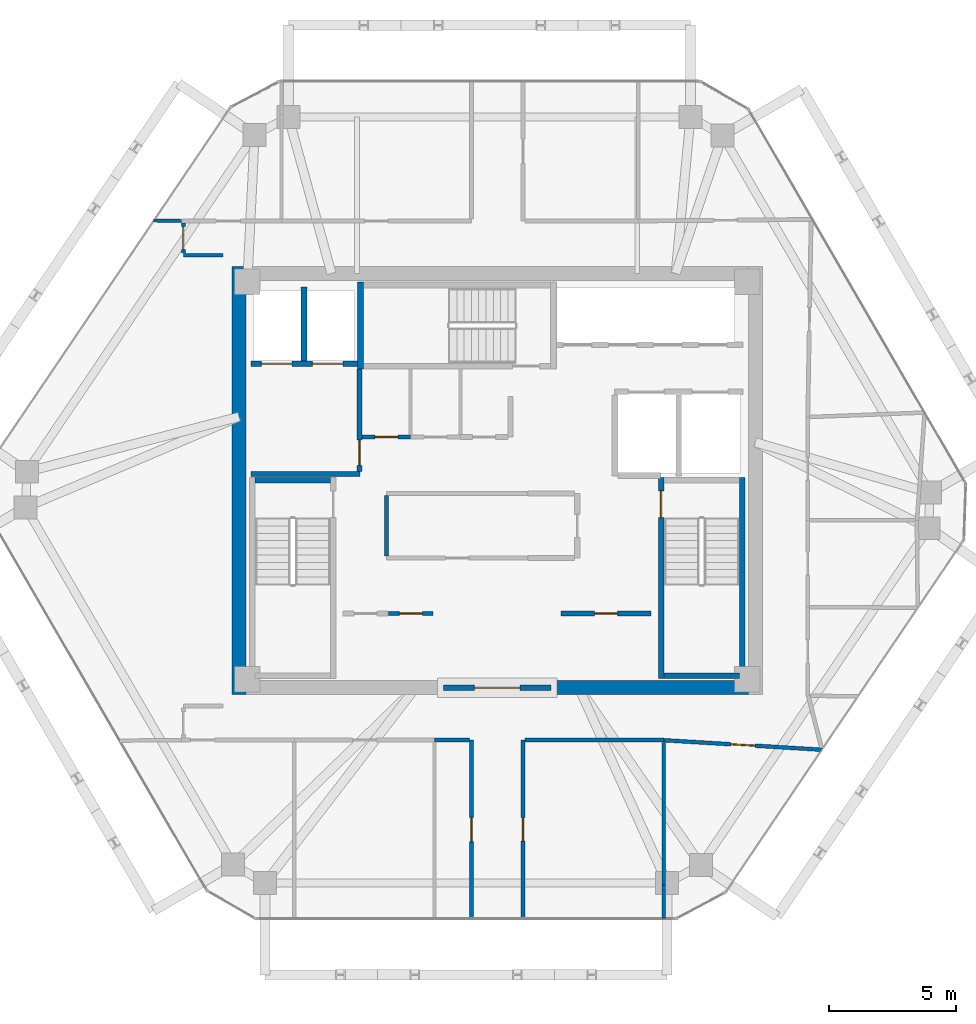
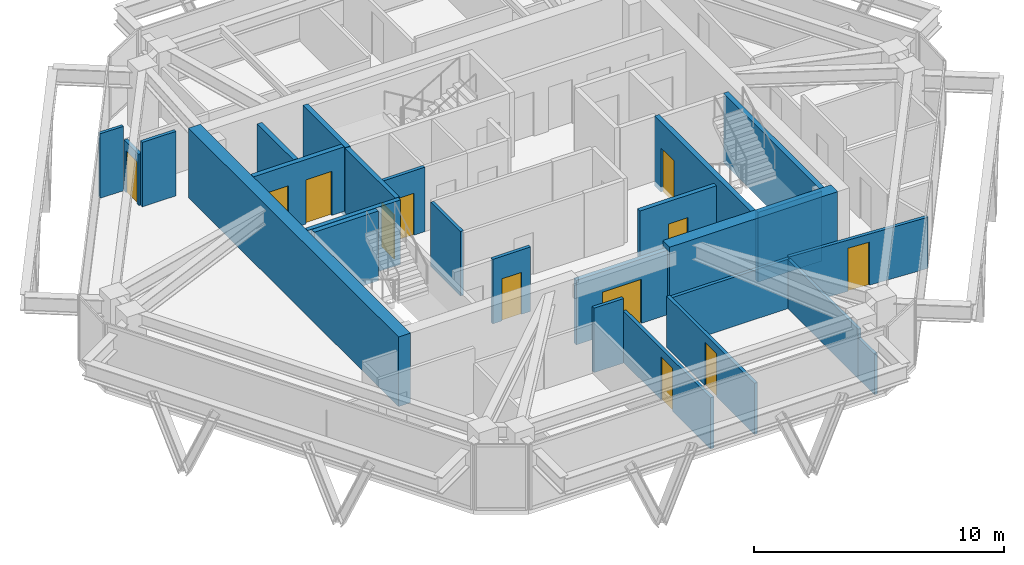
# One storey, part 8 of 11: 26 walls, 12 doors, 12 openings.
"""IFC4 building model written with IfcOpenShell, lengths in metres."""

from ifc_helpers import new_model, si_unit, direction, frame, frame_2d, origin, place, context, subcontext, project, spatial, rectangle, extrude, source, transform, mapped, material, layer, layer_set, type_object, type_shapes, element, fill, save


model = new_model("IFC4")

# Units and contexts
model_context = context("Model", 3, precision=1e-05, world=origin(), true_north=direction((0.0, 1.0)))
body_context = subcontext(model_context, "Body", "Model", "MODEL_VIEW")
ifc_project = project(units=[si_unit("LENGTHUNIT", "METRE"), si_unit("AREAUNIT", "SQUARE_METRE"), si_unit("VOLUMEUNIT", "CUBIC_METRE"), si_unit("PLANEANGLEUNIT", "RADIAN"), si_unit("MASSUNIT", "GRAM", prefix="KILO")], contexts=[model_context])

# Site, building, storey
site_placement = place(None, origin())
site = spatial("IfcSite", under=ifc_project, at=site_placement, CompositionType="ELEMENT")
building_placement = place(site_placement, origin())
building = spatial("IfcBuilding", under=site, at=building_placement, Name="Durnholm Broadcast Tower", CompositionType="ELEMENT")
storey_placement = place(building_placement, frame((0.0, 0.0, 258.10009765625)))
storey = spatial("IfcBuildingStorey", under=building, at=storey_placement, Name="L72", CompositionType="ELEMENT", Elevation=258.10009765625)

# Walls
ifc_material_1 = material(Name="Concrete C70/85", Category="concrete")
ifc_layer_1 = layer(ifc_material_1, 0.550048828125)
ifc_layer_set_1 = layer_set([ifc_layer_1], Name="Concrete C70/85")
wall_type_1 = type_object("IfcWallType", Name="WALL-CW-550", PredefinedType="SHEAR", material=ifc_layer_set_1)
wall_1_placement = place(storey_placement, frame((-10.125, -8.39990234375, 0.0), z_axis=(0.0, 0.0, 1.0), x_axis=(0.0, 1.0, 0.0)))
element("IfcWall", 1, at=wall_1_placement, inside=storey, type_object=wall_type_1, Name="L72 central core shear wall CW-WEST", PredefinedType="SHEAR", context=body_context, shape_type="SweptSolid", body=[
    extrude(rectangle(XDim=16.7998046875, YDim=0.550048828125, at=frame_2d((8.39990234375, 0.0))), origin(), (0.0, 0.0, 1.0), 3.39990234375),
])
wall_2_placement = place(storey_placement, frame((2.10009765625, -8.125, 0.0), z_axis=(0.0, 0.0, 1.0), x_axis=(1.0, 0.0, 0.0)))
element("IfcWall", 2, at=wall_2_placement, inside=storey, type_object=wall_type_1, Name="L72 central core shear wall CW-S2", PredefinedType="SHEAR", context=body_context, shape_type="SweptSolid", body=[
    extrude(rectangle(XDim=7.75, YDim=0.550048828125, at=frame_2d((3.875, 0.0))), origin(), (0.0, 0.0, 1.0), 3.39990234375),
])

# Wall, opening, door
ifc_material_2 = material(Name="Fire-Rated Gypsum Shaftwall", Category="concrete")
ifc_layer_2 = layer(ifc_material_2, 0.199951171875)
ifc_layer_set_2 = layer_set([ifc_layer_2], Name="Fire-Rated Gypsum Shaftwall")
wall_type_2 = type_object("IfcWallType", Name="WALL-LOB-200", PredefinedType="SOLIDWALL", material=ifc_layer_set_2)
wall_3_placement = place(storey_placement, frame((-2.10009765625, -8.125, 0.0), z_axis=(0.0, 0.0, 1.0), x_axis=(1.0, 0.0, 0.0)))
wall_3 = element("IfcWall", 3, at=wall_3_placement, inside=storey, type_object=wall_type_2, Name="L72 south core lobby fire screen", PredefinedType="SOLIDWALL", context=body_context, shape_type="SweptSolid", body=[
    extrude(rectangle(XDim=4.2001953125, YDim=0.199951171875, at=frame_2d((2.10009765625, 0.0))), origin(), (0.0, 0.0, 1.0), 3.14501953125),
])
opening_1_placement = place(wall_3_placement, frame((1.199951171875, 0.0, 0.0)))
opening_1 = element("IfcOpeningElement", 4, at=opening_1_placement, cuts=wall_3, Name="Opening DP-60", PredefinedType="OPENING", context=body_context, shape_type="SweptSolid", body=[
    extrude(rectangle(XDim=1.800048828125, YDim=2.14990234375, at=frame_2d((0.89990234375, 1.074951171875))), frame((0.0, 0.10986328125, 0.0), z_axis=(0.0, -1.0, 0.0), x_axis=(1.0, 0.0, 0.0)), (0.0, 0.0, 1.0), 0.219970703125),
])
ifc_material_3 = material(Name="Fire-Rated Double Corridor Door", Category="steel")
ifc_layer_3 = layer(ifc_material_3, 0.050048828125)
ifc_layer_set_3 = layer_set([ifc_layer_3], Name="Fire-Rated Double Corridor Door")
door_type_1 = type_object("IfcDoorType", Name="DOOR-PAIR-FD60", OperationType="DOUBLE_DOOR_SINGLE_SWING", PredefinedType="DOOR", material=ifc_layer_set_3)
shared_shape_1 = source(origin(), body_context, "Body", "SweptSolid", [
    extrude(rectangle(XDim=1.800048828125, YDim=2.14990234375, at=frame_2d((0.89990234375, 1.074951171875))), frame((0.0, 0.02490234375, 0.0), z_axis=(0.0, -1.0, 0.0), x_axis=(1.0, 0.0, 0.0)), (0.0, 0.0, 1.0), 0.050048828125),
])
type_shapes(door_type_1, [shared_shape_1])
door_1_placement = place(opening_1_placement, origin())
door_1 = element("IfcDoor", 5, at=door_1_placement, inside=storey, type_object=door_type_1, Name="L72 south core lobby double fire door", OperationType="DOUBLE_DOOR_SINGLE_SWING", OverallHeight=2.14990234375, OverallWidth=1.800048828125, PredefinedType="DOOR", context=body_context, shape_type="MappedRepresentation", body=[
    mapped(shared_shape_1, transform((0.0, 0.0, 0.0), x_axis=(1.0, 0.0, 0.0), y_axis=(0.0, 1.0, 0.0), z_axis=(0.0, 0.0, 1.0), scale=1.0)),
])
fill(opening_1, door_1)

# Wall
wall_4_placement = place(storey_placement, frame((-9.64990234375, 0.25, 0.0), z_axis=(0.0, 0.0, 1.0), x_axis=(1.0, 0.0, 0.0)))
element("IfcWall", 6, at=wall_4_placement, inside=storey, type_object=wall_type_2, Name="L72 Fire Service Access Elevator lobby south wall", PredefinedType="SOLIDWALL", context=body_context, shape_type="SweptSolid", body=[
    extrude(rectangle(XDim=4.27001953125, YDim=0.199951171875, at=frame_2d((2.135009765625, 0.0))), origin(), (0.0, 0.0, 1.0), 3.14501953125),
])

# Wall, opening, door
wall_5_placement = place(storey_placement, frame((-5.39990234375, 0.35400390625, 0.0), z_axis=(0.0, 0.0, 1.0), x_axis=(0.0, 1.0, 0.0)))
wall_5 = element("IfcWall", 7, at=wall_5_placement, inside=storey, type_object=wall_type_2, Name="L72 Fire Service Access Elevator lobby east fire wall", PredefinedType="SOLIDWALL", context=body_context, shape_type="SweptSolid", body=[
    extrude(rectangle(XDim=4.02587890625, YDim=0.199951171875, at=frame_2d((2.012939453125, 0.0))), origin(), (0.0, 0.0, 1.0), 3.14501953125),
])
opening_2_placement = place(wall_5_placement, frame((0.24609375, 0.0, 0.0)))
opening_2 = element("IfcOpeningElement", 8, at=opening_2_placement, cuts=wall_5, Name="Opening DL-60L", PredefinedType="OPENING", context=body_context, shape_type="SweptSolid", body=[
    extrude(rectangle(XDim=1.0, YDim=2.14990234375, at=frame_2d((0.5, 1.074951171875))), frame((0.0, 0.10986328125, 0.0), z_axis=(0.0, -1.0, 0.0), x_axis=(1.0, 0.0, 0.0)), (0.0, 0.0, 1.0), 0.219970703125),
])
ifc_material_4 = material(Name="Fire-Rated Timber/Steel Door", Category="steel")
ifc_layer_4 = layer(ifc_material_4, 0.050048828125)
ifc_layer_set_4 = layer_set([ifc_layer_4], Name="Fire-Rated Timber/Steel Door")
door_type_2 = type_object("IfcDoorType", Name="DOOR-LOB-FD60-L", OperationType="NOTDEFINED", PredefinedType="DOOR", material=ifc_layer_set_4)
shared_shape_2 = source(origin(), body_context, "Body", "SweptSolid", [
    extrude(rectangle(XDim=1.0, YDim=2.14990234375, at=frame_2d((0.5, 1.074951171875))), frame((0.0, 0.02490234375, 0.0), z_axis=(0.0, -1.0, 0.0), x_axis=(1.0, 0.0, 0.0)), (0.0, 0.0, 1.0), 0.050048828125),
])
type_shapes(door_type_2, [shared_shape_2])
door_2_placement = place(opening_2_placement, origin())
door_2 = element("IfcDoor", 9, at=door_2_placement, inside=storey, type_object=door_type_2, Name="L72 Fire Service Access Elevator lobby smoke door", OperationType="SINGLE_SWING_LEFT", OverallHeight=2.14990234375, OverallWidth=1.0, PredefinedType="DOOR", context=body_context, shape_type="MappedRepresentation", body=[
    mapped(shared_shape_2, transform((0.0, 0.0, 0.0), x_axis=(1.0, 0.0, 0.0), y_axis=(0.0, 1.0, 0.0), z_axis=(0.0, 0.0, 1.0), scale=1.0)),
])
fill(opening_2, door_2)

wall_6_placement = place(storey_placement, frame((2.510009765625, -5.2099609375, 0.0), z_axis=(0.0, 0.0, 1.0), x_axis=(1.0, 0.0, 0.0)))
wall_6 = element("IfcWall", 10, at=wall_6_placement, inside=storey, type_object=wall_type_2, Name="L72 Telemetry Control Closet corridor partition", PredefinedType="SOLIDWALL", context=body_context, shape_type="SweptSolid", body=[
    extrude(rectangle(XDim=3.530029296875, YDim=0.199951171875, at=frame_2d((1.76513671875, 0.0))), origin(), (0.0, 0.0, 1.0), 3.14501953125),
])
opening_3_placement = place(wall_6_placement, frame((1.31494140625, 0.0, 0.0)))
opening_3 = element("IfcOpeningElement", 11, at=opening_3_placement, cuts=wall_6, Name="Opening DC-60R", PredefinedType="OPENING", context=body_context, shape_type="SweptSolid", body=[
    extrude(rectangle(XDim=0.89990234375, YDim=2.050048828125, at=frame_2d((0.449951171875, 1.02490234375))), frame((0.0, 0.10986328125, 0.0), z_axis=(0.0, -1.0, 0.0), x_axis=(1.0, 0.0, 0.0)), (0.0, 0.0, 1.0), 0.219970703125),
])
ifc_material_5 = material(Name="Fire-Rated Core Service Door", Category="steel")
ifc_layer_5 = layer(ifc_material_5, 0.050048828125)
ifc_layer_set_5 = layer_set([ifc_layer_5], Name="Fire-Rated Core Service Door")
door_type_3 = type_object("IfcDoorType", Name="DOOR-CORE-FD60-R", OperationType="NOTDEFINED", PredefinedType="DOOR", material=ifc_layer_set_5)
shared_shape_3 = source(origin(), body_context, "Body", "SweptSolid", [
    extrude(rectangle(XDim=0.89990234375, YDim=2.050048828125, at=frame_2d((0.449951171875, 1.02490234375))), frame((0.0, 0.02490234375, 0.0), z_axis=(0.0, -1.0, 0.0), x_axis=(1.0, 0.0, 0.0)), (0.0, 0.0, 1.0), 0.050048828125),
])
type_shapes(door_type_3, [shared_shape_3])
door_3_placement = place(opening_3_placement, origin())
door_3 = element("IfcDoor", 12, at=door_3_placement, inside=storey, type_object=door_type_3, Name="L72 Telemetry Control Closet entrance door", OperationType="SINGLE_SWING_RIGHT", OverallHeight=2.050048828125, OverallWidth=0.89990234375, PredefinedType="DOOR", context=body_context, shape_type="MappedRepresentation", body=[
    mapped(shared_shape_3, transform((0.0, 0.0, 0.0), x_axis=(1.0, 0.0, 0.0), y_axis=(0.0, 1.0, 0.0), z_axis=(0.0, 0.0, 1.0), scale=1.0)),
])
fill(opening_3, door_3)

# Walls
ifc_material_6 = material(Name="Gypsum Metal Stud Partition", Category="concrete")
ifc_layer_6 = layer(ifc_material_6, 0.135009765625)
ifc_layer_set_6 = layer_set([ifc_layer_6], Name="Gypsum Metal Stud Partition")
wall_type_3 = type_object("IfcWallType", Name="WALL-PART-135", PredefinedType="PARTITIONING", material=ifc_layer_set_6)
wall_7_placement = place(storey_placement, frame((-12.389892578125, 10.181396484375, 0.0), z_axis=(0.0, 0.0, 1.0), x_axis=(-0.999812128272, 0.019383192748, 0.0)))
element("IfcWall", 13, at=wall_7_placement, inside=storey, type_object=wall_type_3, Name="L72 room dividing partition 12.22", PredefinedType="PARTITIONING", context=body_context, shape_type="SweptSolid", body=[
    extrude(rectangle(XDim=1.083251953125, YDim=0.135009765625, at=frame_2d((0.54150390625, 0.0))), origin(), (0.0, 0.0, 1.0), 3.14501953125),
])
wall_8_placement = place(storey_placement, frame((6.5400390625, -10.263916015625, 0.0), z_axis=(0.0, 0.0, 1.0), x_axis=(0.0, -1.0, 0.0)))
element("IfcWall", 14, at=wall_8_placement, inside=storey, type_object=wall_type_3, Name="L72 room dividing partition 19.20", PredefinedType="PARTITIONING", context=body_context, shape_type="SweptSolid", body=[
    extrude(rectangle(XDim=5.606201171875, YDim=0.135009765625, at=frame_2d((2.80322265625, 0.0))), origin(), (0.0, 0.0, 1.0), 2.401123046875),
])
wall_9_placement = place(storey_placement, frame((6.5400390625, -15.8701171875, 0.0), z_axis=(0.0, 0.0, 1.0), x_axis=(0.0, -1.0, 0.0)))
element("IfcWall", 15, at=wall_9_placement, inside=storey, type_object=wall_type_3, Name="L72 room dividing partition 19.20", PredefinedType="PARTITIONING", context=body_context, shape_type="SweptSolid", body=[
    extrude(rectangle(XDim=1.31591796875, YDim=0.135009765625, at=frame_2d((0.657958984375, 0.0))), origin(), (0.0, 0.0, 1.0), 1.97705078125),
])

# Wall, opening, door
ifc_material_7 = material(Name="Acoustic Gypsum Stud Partition", Category="concrete")
ifc_layer_7 = layer(ifc_material_7, 0.14990234375)
ifc_layer_set_7 = layer_set([ifc_layer_7], Name="Acoustic Gypsum Stud Partition")
wall_type_4 = type_object("IfcWallType", Name="WALL-PART-150", PredefinedType="PARTITIONING", material=ifc_layer_set_7)
wall_10_placement = place(storey_placement, frame((-4.260009765625, -5.2099609375, 0.0), z_axis=(0.0, 0.0, 1.0), x_axis=(1.0, 0.0, 0.0)))
wall_10 = element("IfcWall", 16, at=wall_10_placement, inside=storey, type_object=wall_type_4, Name="L72 Copy and Print Room corridor partition", PredefinedType="PARTITIONING", context=body_context, shape_type="SweptSolid", body=[
    extrude(rectangle(XDim=1.75, YDim=0.14990234375, at=frame_2d((0.875, 0.0))), origin(), (0.0, 0.0, 1.0), 3.14501953125),
])
opening_4_placement = place(wall_10_placement, frame((0.425048828125, 0.0, 0.0)))
opening_4 = element("IfcOpeningElement", 17, at=opening_4_placement, cuts=wall_10, Name="Opening DC-60L", PredefinedType="OPENING", context=body_context, shape_type="SweptSolid", body=[
    extrude(rectangle(XDim=0.89990234375, YDim=2.050048828125, at=frame_2d((0.449951171875, 1.02490234375))), frame((0.0, 0.0849609375, 0.0), z_axis=(0.0, -1.0, 0.0), x_axis=(1.0, 0.0, 0.0)), (0.0, 0.0, 1.0), 0.169921875),
])
ifc_layer_8 = layer(ifc_material_5, 0.050048828125)
ifc_layer_set_8 = layer_set([ifc_layer_8], Name="Fire-Rated Core Service Door")
door_type_4 = type_object("IfcDoorType", Name="DOOR-CORE-FD60-L", OperationType="NOTDEFINED", PredefinedType="DOOR", material=ifc_layer_set_8)
shared_shape_4 = source(origin(), body_context, "Body", "SweptSolid", [
    extrude(rectangle(XDim=0.89990234375, YDim=2.050048828125, at=frame_2d((0.449951171875, 1.02490234375))), frame((0.0, 0.02490234375, 0.0), z_axis=(0.0, -1.0, 0.0), x_axis=(1.0, 0.0, 0.0)), (0.0, 0.0, 1.0), 0.050048828125),
])
type_shapes(door_type_4, [shared_shape_4])
door_4_placement = place(opening_4_placement, origin())
door_4 = element("IfcDoor", 18, at=door_4_placement, inside=storey, type_object=door_type_4, Name="L72 Copy and Print Room entrance door", OperationType="SINGLE_SWING_LEFT", OverallHeight=2.050048828125, OverallWidth=0.89990234375, PredefinedType="DOOR", context=body_context, shape_type="MappedRepresentation", body=[
    mapped(shared_shape_4, transform((0.0, 0.0, 0.0), x_axis=(1.0, 0.0, 0.0), y_axis=(0.0, 1.0, 0.0), z_axis=(0.0, 0.0, 1.0), scale=1.0)),
])
fill(opening_4, door_4)

# Wall
wall_11_placement = place(storey_placement, frame((-4.340087890625, -2.9609375, 0.0), z_axis=(0.0, 0.0, 1.0), x_axis=(0.0, 1.0, 0.0)))
element("IfcWall", 19, at=wall_11_placement, inside=storey, type_object=wall_type_4, Name="L72 Broadcast Equipment Store corridor partition", PredefinedType="PARTITIONING", context=body_context, shape_type="SweptSolid", body=[
    extrude(rectangle(XDim=2.371826171875, YDim=0.14990234375, at=frame_2d((1.18603515625, 0.0))), origin(), (0.0, 0.0, 1.0), 3.14501953125),
])

# Wall, opening, door
wall_12_placement = place(storey_placement, frame((-3.39990234375, 1.7099609375, 0.0), z_axis=(0.0, 0.0, 1.0), x_axis=(-1.0, 0.0, 0.0)))
wall_12 = element("IfcWall", 20, at=wall_12_placement, inside=storey, type_object=wall_type_4, Name="L72 Core Copy and Print Closet corridor partition", PredefinedType="PARTITIONING", context=body_context, shape_type="SweptSolid", body=[
    extrude(rectangle(XDim=1.89599609375, YDim=0.14990234375, at=frame_2d((0.947998046875, 0.0))), origin(), (0.0, 0.0, 1.0), 3.14501953125),
])
opening_5_placement = place(wall_12_placement, frame((0.498046875, 0.0, 0.0)))
opening_5 = element("IfcOpeningElement", 21, at=opening_5_placement, cuts=wall_12, Name="Opening DC-60L", PredefinedType="OPENING", context=body_context, shape_type="SweptSolid", body=[
    extrude(rectangle(XDim=0.89990234375, YDim=2.050048828125, at=frame_2d((0.449951171875, 1.02490234375))), frame((0.0, 0.0849609375, 0.0), z_axis=(0.0, -1.0, 0.0), x_axis=(1.0, 0.0, 0.0)), (0.0, 0.0, 1.0), 0.169921875),
])
door_5_placement = place(opening_5_placement, origin())
door_5 = element("IfcDoor", 22, at=door_5_placement, inside=storey, type_object=door_type_4, Name="L72 Core Copy and Print Closet entrance door", OperationType="SINGLE_SWING_LEFT", OverallHeight=2.050048828125, OverallWidth=0.89990234375, PredefinedType="DOOR", context=body_context, shape_type="MappedRepresentation", body=[
    mapped(shared_shape_4, transform((0.0, 0.0, 0.0), x_axis=(1.0, 0.0, 0.0), y_axis=(0.0, 1.0, 0.0), z_axis=(0.0, 0.0, 1.0), scale=1.0)),
])
fill(opening_5, door_5)

wall_13_placement = place(storey_placement, frame((-1.010009765625, -10.179931640625, 0.0), z_axis=(0.0, 0.0, 1.0), x_axis=(0.0, -1.0, 0.0)))
wall_13 = element("IfcWall", 23, at=wall_13_placement, inside=storey, type_object=wall_type_4, Name="L72 Fellows Kitchen corridor partition", PredefinedType="PARTITIONING", context=body_context, shape_type="SweptSolid", body=[
    extrude(rectangle(XDim=7.006103515625, YDim=0.14990234375, at=frame_2d((3.5029296875, 0.0))), origin(), (0.0, 0.0, 1.0), 2.498779296875),
])
opening_6_placement = place(wall_13_placement, frame((3.028076171875, 0.0, 0.0)))
opening_6 = element("IfcOpeningElement", 24, at=opening_6_placement, cuts=wall_13, Name="Opening DR-95L", PredefinedType="OPENING", context=body_context, shape_type="SweptSolid", body=[
    extrude(rectangle(XDim=0.949951171875, YDim=2.10009765625, at=frame_2d((0.47509765625, 1.050048828125))), frame((0.0, 0.0849609375, 0.0), z_axis=(0.0, -1.0, 0.0), x_axis=(1.0, 0.0, 0.0)), (0.0, 0.0, 1.0), 0.169921875),
])
ifc_material_8 = material(Name="Acoustic Oak Veneer Timber Door", Category="wood")
ifc_layer_9 = layer(ifc_material_8, 0.050048828125)
ifc_layer_set_9 = layer_set([ifc_layer_9], Name="Acoustic Oak Veneer Timber Door")
door_type_5 = type_object("IfcDoorType", Name="DOOR-RM-950L", OperationType="NOTDEFINED", PredefinedType="DOOR", material=ifc_layer_set_9)
shared_shape_5 = source(origin(), body_context, "Body", "SweptSolid", [
    extrude(rectangle(XDim=0.949951171875, YDim=2.10009765625, at=frame_2d((0.47509765625, 1.050048828125))), frame((0.0, 0.02490234375, 0.0), z_axis=(0.0, -1.0, 0.0), x_axis=(1.0, 0.0, 0.0)), (0.0, 0.0, 1.0), 0.050048828125),
])
type_shapes(door_type_5, [shared_shape_5])
door_6_placement = place(opening_6_placement, origin())
door_6 = element("IfcDoor", 25, at=door_6_placement, inside=storey, type_object=door_type_5, Name="L72 Fellows Kitchen entrance door", OperationType="SINGLE_SWING_LEFT", OverallHeight=2.10009765625, OverallWidth=0.949951171875, PredefinedType="DOOR", context=body_context, shape_type="MappedRepresentation", body=[
    mapped(shared_shape_5, transform((0.0, 0.0, 0.0), x_axis=(1.0, 0.0, 0.0), y_axis=(0.0, 1.0, 0.0), z_axis=(0.0, 0.0, 1.0), scale=1.0)),
])
fill(opening_6, door_6)

# Wall
wall_14_placement = place(storey_placement, frame((-2.4599609375, -10.179931640625, 0.0), z_axis=(0.0, 0.0, 1.0), x_axis=(1.0, 0.0, 0.0)))
element("IfcWall", 26, at=wall_14_placement, inside=storey, type_object=wall_type_4, Name="L72 Fellows Kitchen corridor partition", PredefinedType="PARTITIONING", context=body_context, shape_type="SweptSolid", body=[
    extrude(rectangle(XDim=1.370849609375, YDim=0.14990234375, at=frame_2d((0.685546875, 0.0))), origin(), (0.0, 0.0, 1.0), 3.14501953125),
])

# Wall, opening, door
wall_15_placement = place(storey_placement, frame((1.010009765625, -17.18603515625, 0.0), z_axis=(0.0, 0.0, 1.0), x_axis=(0.0, 1.0, 0.0)))
wall_15 = element("IfcWall", 27, at=wall_15_placement, inside=storey, type_object=wall_type_4, Name="L72 Fellows Meeting Room 1 corridor partition", PredefinedType="PARTITIONING", context=body_context, shape_type="SweptSolid", body=[
    extrude(rectangle(XDim=7.006103515625, YDim=0.14990234375, at=frame_2d((3.5029296875, 0.0))), origin(), (0.0, 0.0, 1.0), 2.498779296875),
])
opening_7_placement = place(wall_15_placement, frame((3.04296875, 0.0, 0.0)))
opening_7 = element("IfcOpeningElement", 28, at=opening_7_placement, cuts=wall_15, Name="Opening DR-92R", PredefinedType="OPENING", context=body_context, shape_type="SweptSolid", body=[
    extrude(rectangle(XDim=0.919921875, YDim=2.10009765625, at=frame_2d((0.4599609375, 1.050048828125))), frame((0.0, 0.0849609375, 0.0), z_axis=(0.0, -1.0, 0.0), x_axis=(1.0, 0.0, 0.0)), (0.0, 0.0, 1.0), 0.169921875),
])
ifc_material_9 = material(Name="Oak Veneer Office Door", Category="wood")
ifc_layer_10 = layer(ifc_material_9, 0.050048828125)
ifc_layer_set_10 = layer_set([ifc_layer_10], Name="Oak Veneer Office Door")
door_type_6 = type_object("IfcDoorType", Name="DOOR-RM-920R", OperationType="NOTDEFINED", PredefinedType="DOOR", material=ifc_layer_set_10)
shared_shape_6 = source(origin(), body_context, "Body", "SweptSolid", [
    extrude(rectangle(XDim=0.919921875, YDim=2.10009765625, at=frame_2d((0.4599609375, 1.050048828125))), frame((0.0, 0.02490234375, 0.0), z_axis=(0.0, -1.0, 0.0), x_axis=(1.0, 0.0, 0.0)), (0.0, 0.0, 1.0), 0.050048828125),
])
type_shapes(door_type_6, [shared_shape_6])
door_7_placement = place(opening_7_placement, origin())
door_7 = element("IfcDoor", 29, at=door_7_placement, inside=storey, type_object=door_type_6, Name="L72 Fellows Meeting Room 1 entrance door", OperationType="SINGLE_SWING_RIGHT", OverallHeight=2.10009765625, OverallWidth=0.919921875, PredefinedType="DOOR", context=body_context, shape_type="MappedRepresentation", body=[
    mapped(shared_shape_6, transform((0.0, 0.0, 0.0), x_axis=(1.0, 0.0, 0.0), y_axis=(0.0, 1.0, 0.0), z_axis=(0.0, 0.0, 1.0), scale=1.0)),
])
fill(opening_7, door_7)

# Wall
wall_16_placement = place(storey_placement, frame((1.089111328125, -10.179931640625, 0.0), z_axis=(0.0, 0.0, 1.0), x_axis=(1.0, 0.0, 0.0)))
element("IfcWall", 30, at=wall_16_placement, inside=storey, type_object=wall_type_4, Name="L72 Fellows Meeting Room 1 corridor partition", PredefinedType="PARTITIONING", context=body_context, shape_type="SweptSolid", body=[
    extrude(rectangle(XDim=5.450927734375, YDim=0.14990234375, at=frame_2d((2.7255859375, 0.0))), origin(), (0.0, 0.0, 1.0), 2.401123046875),
])

# Wall, opening, door
wall_17_placement = place(storey_placement, frame((6.5400390625, -10.184814453125, 0.0), z_axis=(0.0, 0.0, 1.0), x_axis=(0.9981941592, -0.060070130174, 0.0)))
wall_17 = element("IfcWall", 31, at=wall_17_placement, inside=storey, type_object=wall_type_4, Name="L72 Fellows Meeting Room 2 corridor partition", PredefinedType="PARTITIONING", context=body_context, shape_type="SweptSolid", body=[
    extrude(rectangle(XDim=6.210205078125, YDim=0.14990234375, at=frame_2d((3.10498046875, 0.0))), origin(), (0.0, 0.0, 1.0), 2.498779296875),
])
opening_8_placement = place(wall_17_placement, frame((2.630126953125, 0.0, 0.0)))
opening_8 = element("IfcOpeningElement", 32, at=opening_8_placement, cuts=wall_17, Name="Opening DR-95L", PredefinedType="OPENING", context=body_context, shape_type="SweptSolid", body=[
    extrude(rectangle(XDim=0.949951171875, YDim=2.10009765625, at=frame_2d((0.47509765625, 1.050048828125))), frame((0.0, 0.0849609375, 0.0), z_axis=(0.0, -1.0, 0.0), x_axis=(1.0, 0.0, 0.0)), (0.0, 0.0, 1.0), 0.169921875),
])
door_8_placement = place(opening_8_placement, origin())
door_8 = element("IfcDoor", 33, at=door_8_placement, inside=storey, type_object=door_type_5, Name="L72 Fellows Meeting Room 2 entrance door", OperationType="SINGLE_SWING_LEFT", OverallHeight=2.10009765625, OverallWidth=0.949951171875, PredefinedType="DOOR", context=body_context, shape_type="MappedRepresentation", body=[
    mapped(shared_shape_5, transform((0.0, 0.0, 0.0), x_axis=(1.0, 0.0, 0.0), y_axis=(0.0, 1.0, 0.0), z_axis=(0.0, 0.0, 1.0), scale=1.0)),
])
fill(opening_8, door_8)

# Wall
wall_18_placement = place(storey_placement, frame((-12.31005859375, 8.840087890625, 0.0), z_axis=(0.0, 0.0, 1.0), x_axis=(1.0, 0.0, 0.0)))
element("IfcWall", 34, at=wall_18_placement, inside=storey, type_object=wall_type_4, Name="L72 Endowment Lecture Auditorium corridor partition", PredefinedType="PARTITIONING", context=body_context, shape_type="SweptSolid", body=[
    extrude(rectangle(XDim=1.550048828125, YDim=0.14990234375, at=frame_2d((0.77490234375, 0.0))), origin(), (0.0, 0.0, 1.0), 3.14501953125),
])

# Wall, opening, door
wall_19_placement = place(storey_placement, frame((-12.31005859375, 10.10107421875, 0.0), z_axis=(0.0, 0.0, 1.0), x_axis=(0.0, -1.0, 0.0)))
wall_19 = element("IfcWall", 35, at=wall_19_placement, inside=storey, type_object=wall_type_4, Name="L72 Endowment Lecture Auditorium corridor partition", PredefinedType="PARTITIONING", context=body_context, shape_type="SweptSolid", body=[
    extrude(rectangle(XDim=1.18212890625, YDim=0.14990234375, at=frame_2d((0.591064453125, 0.0))), origin(), (0.0, 0.0, 1.0), 2.498779296875),
])
opening_9_placement = place(wall_19_placement, frame((0.14111328125, 0.0, 0.0)))
opening_9 = element("IfcOpeningElement", 36, at=opening_9_placement, cuts=wall_19, Name="Opening DW-90L", PredefinedType="OPENING", context=body_context, shape_type="SweptSolid", body=[
    extrude(rectangle(XDim=0.89990234375, YDim=2.050048828125, at=frame_2d((0.449951171875, 1.02490234375))), frame((0.0, 0.0849609375, 0.0), z_axis=(0.0, -1.0, 0.0), x_axis=(1.0, 0.0, 0.0)), (0.0, 0.0, 1.0), 0.169921875),
])
ifc_material_10 = material(Name="Laminate Restroom Door", Category="steel")
ifc_layer_11 = layer(ifc_material_10, 0.050048828125)
ifc_layer_set_11 = layer_set([ifc_layer_11], Name="Laminate Restroom Door")
door_type_7 = type_object("IfcDoorType", Name="DOOR-WC-900L", OperationType="NOTDEFINED", PredefinedType="DOOR", material=ifc_layer_set_11)
shared_shape_7 = source(origin(), body_context, "Body", "SweptSolid", [
    extrude(rectangle(XDim=0.89990234375, YDim=2.050048828125, at=frame_2d((0.449951171875, 1.02490234375))), frame((0.0, 0.02490234375, 0.0), z_axis=(0.0, -1.0, 0.0), x_axis=(1.0, 0.0, 0.0)), (0.0, 0.0, 1.0), 0.050048828125),
])
type_shapes(door_type_7, [shared_shape_7])
door_9_placement = place(opening_9_placement, origin())
door_9 = element("IfcDoor", 37, at=door_9_placement, inside=storey, type_object=door_type_7, Name="L72 Endowment Lecture Auditorium entrance door", OperationType="SINGLE_SWING_LEFT", OverallHeight=2.050048828125, OverallWidth=0.89990234375, PredefinedType="DOOR", context=body_context, shape_type="MappedRepresentation", body=[
    mapped(shared_shape_7, transform((0.0, 0.0, 0.0), x_axis=(1.0, 0.0, 0.0), y_axis=(0.0, 1.0, 0.0), z_axis=(0.0, 0.0, 1.0), scale=1.0)),
])
fill(opening_9, door_9)

# Wall, openings, doors
ifc_material_11 = material(Name="Concrete Blockwork C30/37", Category="masonry")
ifc_layer_12 = layer(ifc_material_11, 0.219970703125)
ifc_layer_set_12 = layer_set([ifc_layer_12], Name="Concrete Blockwork C30/37")
wall_type_5 = type_object("IfcWallType", Name="WALL-SHAFT-220", PredefinedType="SOLIDWALL", material=ifc_layer_set_12)
wall_20_placement = place(storey_placement, frame((-9.64990234375, 4.580078125, 0.0), z_axis=(0.0, 0.0, 1.0), x_axis=(1.0, 0.0, 0.0)))
wall_20 = element("IfcWall", 38, at=wall_20_placement, inside=storey, type_object=wall_type_5, Name="L72 FSAE hoistway front fire wall", PredefinedType="SOLIDWALL", context=body_context, shape_type="SweptSolid", body=[
    extrude(rectangle(XDim=4.1748046875, YDim=0.219970703125, at=frame_2d((2.08740234375, 0.0))), origin(), (0.0, 0.0, 1.0), 3.14501953125),
])
opening_10_placement = place(wall_20_placement, frame((0.39990234375, 0.0, 0.0)))
opening_10 = element("IfcOpeningElement", 39, at=opening_10_placement, cuts=wall_20, Name="Opening LD-FSAE-2", PredefinedType="OPENING", context=body_context, shape_type="SweptSolid", body=[
    extrude(rectangle(XDim=1.199951171875, YDim=2.14990234375, at=frame_2d((0.60009765625, 1.074951171875))), frame((0.0, 0.1201171875, 0.0), z_axis=(0.0, -1.0, 0.0), x_axis=(1.0, 0.0, 0.0)), (0.0, 0.0, 1.0), 0.239990234375),
])
opening_11_placement = place(wall_20_placement, frame((2.39990234375, 0.0, 0.0)))
opening_11 = element("IfcOpeningElement", 40, at=opening_11_placement, cuts=wall_20, Name="Opening LD-FSAE-1", PredefinedType="OPENING", context=body_context, shape_type="SweptSolid", body=[
    extrude(rectangle(XDim=1.199951171875, YDim=2.14990234375, at=frame_2d((0.60009765625, 1.074951171875))), frame((0.0, 0.1201171875, 0.0), z_axis=(0.0, -1.0, 0.0), x_axis=(1.0, 0.0, 0.0)), (0.0, 0.0, 1.0), 0.239990234375),
])
ifc_material_12 = material(Name="Fire Service Access Sliding Landing Door", Category="steel")
ifc_layer_13 = layer(ifc_material_12, 0.050048828125)
ifc_layer_set_13 = layer_set([ifc_layer_13], Name="Fire Service Access Sliding Landing Door")
door_type_8 = type_object("IfcDoorType", Name="DOOR-LIFT-FSAE", OperationType="DOUBLE_DOOR_SLIDING", PredefinedType="DOOR", material=ifc_layer_set_13)
shared_shape_8 = source(origin(), body_context, "Body", "SweptSolid", [
    extrude(rectangle(XDim=1.199951171875, YDim=2.14990234375, at=frame_2d((0.60009765625, 1.074951171875))), frame((0.0, 0.02490234375, 0.0), z_axis=(0.0, -1.0, 0.0), x_axis=(1.0, 0.0, 0.0)), (0.0, 0.0, 1.0), 0.050048828125),
])
type_shapes(door_type_8, [shared_shape_8])
door_10_placement = place(opening_10_placement, origin())
door_10 = element("IfcDoor", 41, at=door_10_placement, inside=storey, type_object=door_type_8, Name="L72 Fire Service Access Elevator FSAE-2 sliding landing door", OperationType="DOUBLE_DOOR_SLIDING", OverallHeight=2.14990234375, OverallWidth=1.199951171875, PredefinedType="DOOR", context=body_context, shape_type="MappedRepresentation", body=[
    mapped(shared_shape_8, transform((0.0, 0.0, 0.0), x_axis=(1.0, 0.0, 0.0), y_axis=(0.0, 1.0, 0.0), z_axis=(0.0, 0.0, 1.0), scale=1.0)),
])
fill(opening_10, door_10)
door_11_placement = place(opening_11_placement, origin())
door_11 = element("IfcDoor", 42, at=door_11_placement, inside=storey, type_object=door_type_8, Name="L72 Fire Service Access Elevator FSAE-1 sliding landing door", OperationType="DOUBLE_DOOR_SLIDING", OverallHeight=2.14990234375, OverallWidth=1.199951171875, PredefinedType="DOOR", context=body_context, shape_type="MappedRepresentation", body=[
    mapped(shared_shape_8, transform((0.0, 0.0, 0.0), x_axis=(1.0, 0.0, 0.0), y_axis=(0.0, 1.0, 0.0), z_axis=(0.0, 0.0, 1.0), scale=1.0)),
])
fill(opening_11, door_11)

# Walls
wall_21_placement = place(storey_placement, frame((-7.580078125, 4.694091796875, 0.0), z_axis=(0.0, 0.0, 1.0), x_axis=(0.0, 1.0, 0.0)))
element("IfcWall", 43, at=wall_21_placement, inside=storey, type_object=wall_type_5, Name="L72 FSAE shaft divider wall", PredefinedType="SOLIDWALL", context=body_context, shape_type="SweptSolid", body=[
    extrude(rectangle(XDim=2.906005859375, YDim=0.219970703125, at=frame_2d((1.453125, 0.0))), origin(), (0.0, 0.0, 1.0), 3.14501953125),
])
ifc_material_13 = material(Name="Concrete C50/60", Category="concrete")
ifc_layer_14 = layer(ifc_material_13, 0.219970703125)
ifc_layer_set_14 = layer_set([ifc_layer_14], Name="Concrete C50/60")
wall_type_6 = type_object("IfcWallType", Name="WALL-SW-220", PredefinedType="SHEAR", material=ifc_layer_set_14)
wall_22_placement = place(storey_placement, frame((-6.5400390625, 0.010009765625, -0.239990234375), z_axis=(0.0, 0.0, 1.0), x_axis=(-1.0, 0.0, 0.0)))
element("IfcWall", 44, at=wall_22_placement, inside=storey, type_object=wall_type_6, Name="L72 stair ST-1 structural shaft wall N", PredefinedType="SHEAR", context=body_context, shape_type="SweptSolid", body=[
    extrude(rectangle(XDim=2.9599609375, YDim=0.219970703125, at=frame_2d((1.47998046875, 0.0))), origin(), (0.0, 0.0, 1.0), 3.39990234375),
])
wall_23_placement = place(storey_placement, frame((9.610107421875, -7.77001953125, -0.239990234375), z_axis=(0.0, 0.0, 1.0), x_axis=(0.0, 1.0, 0.0)))
element("IfcWall", 45, at=wall_23_placement, inside=storey, type_object=wall_type_6, Name="L72 stair ST-2 structural shaft wall E", PredefinedType="SHEAR", context=body_context, shape_type="SweptSolid", body=[
    extrude(rectangle(XDim=7.89013671875, YDim=0.219970703125, at=frame_2d((3.945068359375, 0.0))), origin(), (0.0, 0.0, 1.0), 3.39990234375),
])

# Wall, opening, door
wall_24_placement = place(storey_placement, frame((6.429931640625, 0.1201171875, -0.239990234375), z_axis=(0.0, 0.0, 1.0), x_axis=(0.0, -1.0, 0.0)))
wall_24 = element("IfcWall", 46, at=wall_24_placement, inside=storey, type_object=wall_type_6, Name="L72 stair ST-2 structural shaft wall W", PredefinedType="SHEAR", context=body_context, shape_type="SweptSolid", body=[
    extrude(rectangle(XDim=7.89013671875, YDim=0.219970703125, at=frame_2d((3.945068359375, 0.0))), origin(), (0.0, 0.0, 1.0), 3.39990234375),
])
opening_12_placement = place(wall_24_placement, frame((0.52001953125, 0.0, 0.0)))
opening_12 = element("IfcOpeningElement", 47, at=opening_12_placement, cuts=wall_24, Name="Opening DS-90R", PredefinedType="OPENING", context=body_context, shape_type="SweptSolid", body=[
    extrude(rectangle(XDim=1.050048828125, YDim=2.14990234375, at=frame_2d((0.52490234375, 1.074951171875))), frame((0.0, 0.1201171875, 0.0), z_axis=(0.0, -1.0, 0.0), x_axis=(1.0, 0.0, 0.0)), (0.0, 0.0, 1.0), 0.239990234375),
])
ifc_material_14 = material(Name="Fire-Rated Steel Door", Category="steel")
ifc_layer_15 = layer(ifc_material_14, 0.050048828125)
ifc_layer_set_15 = layer_set([ifc_layer_15], Name="Fire-Rated Steel Door")
door_type_9 = type_object("IfcDoorType", Name="DOOR-ST-FD90-R", OperationType="NOTDEFINED", PredefinedType="DOOR", material=ifc_layer_set_15)
shared_shape_9 = source(origin(), body_context, "Body", "SweptSolid", [
    extrude(rectangle(XDim=1.050048828125, YDim=2.14990234375, at=frame_2d((0.52490234375, 1.074951171875))), frame((0.0, 0.02490234375, 0.0), z_axis=(0.0, -1.0, 0.0), x_axis=(1.0, 0.0, 0.0)), (0.0, 0.0, 1.0), 0.050048828125),
])
type_shapes(door_type_9, [shared_shape_9])
door_12_placement = place(opening_12_placement, origin())
door_12 = element("IfcDoor", 48, at=door_12_placement, inside=storey, type_object=door_type_9, Name="L72 exit stair ST-2 fire door", OperationType="SINGLE_SWING_RIGHT", OverallHeight=2.14990234375, OverallWidth=1.050048828125, PredefinedType="DOOR", context=body_context, shape_type="MappedRepresentation", body=[
    mapped(shared_shape_9, transform((0.0, 0.0, 0.0), x_axis=(1.0, 0.0, 0.0), y_axis=(0.0, 1.0, 0.0), z_axis=(0.0, 0.0, 1.0), scale=1.0)),
])
fill(opening_12, door_12)

# Walls
wall_25_placement = place(storey_placement, frame((6.5400390625, -7.659912109375, -0.239990234375), z_axis=(0.0, 0.0, 1.0), x_axis=(1.0, 0.0, 0.0)))
element("IfcWall", 49, at=wall_25_placement, inside=storey, type_object=wall_type_6, Name="L72 stair ST-2 structural shaft wall S", PredefinedType="SHEAR", context=body_context, shape_type="SweptSolid", body=[
    extrude(rectangle(XDim=2.9599609375, YDim=0.219970703125, at=frame_2d((1.47998046875, 0.0))), origin(), (0.0, 0.0, 1.0), 3.39990234375),
])
wall_26_placement = place(storey_placement, frame((-5.360107421875, 7.780029296875, -0.239990234375), z_axis=(0.0, 0.0, 1.0), x_axis=(0.0, -1.0, 0.0)))
element("IfcWall", 50, at=wall_26_placement, inside=storey, type_object=wall_type_6, Name="L72 stair ST-3 structural shaft wall W", PredefinedType="SHEAR", context=body_context, shape_type="SweptSolid", body=[
    extrude(rectangle(XDim=3.400146484375, YDim=0.219970703125, at=frame_2d((1.7001953125, 0.0))), origin(), (0.0, 0.0, 1.0), 3.39990234375),
])

save(model, "model.ifc")
